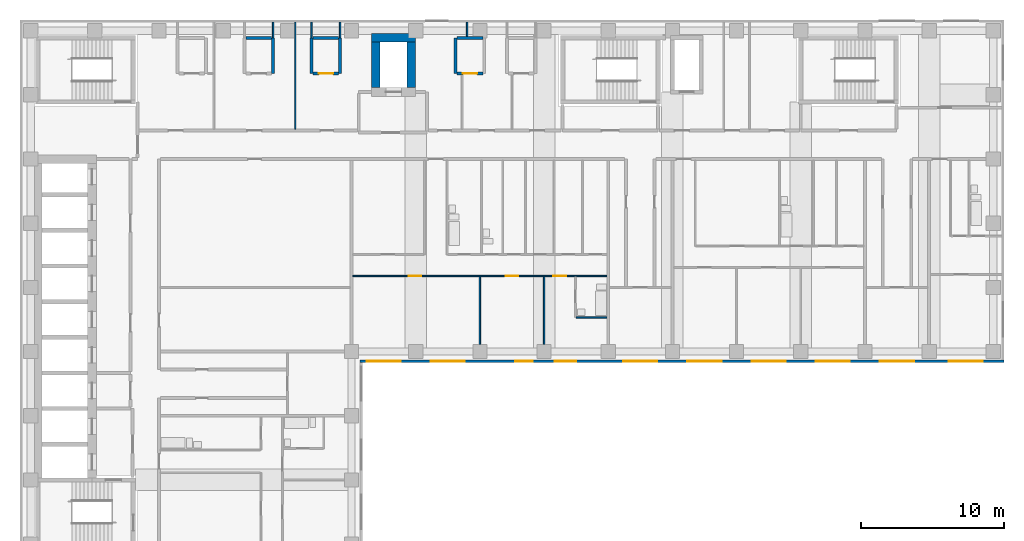
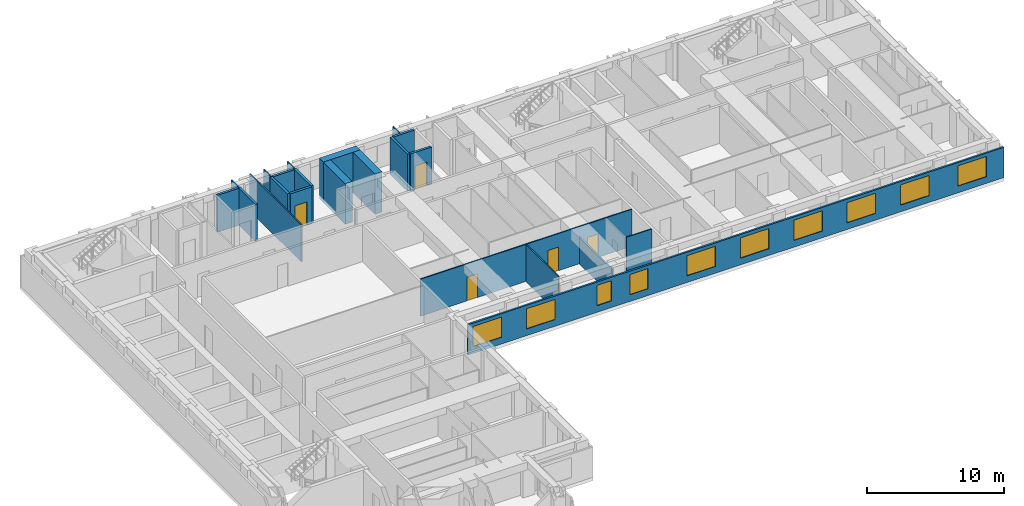
# One storey, part 6 of 12: 22 walls, 10 windows, 5 doors, 15 openings.
"""IFC4 building model written with IfcOpenShell, lengths in metres."""

from ifc_helpers import new_model, si_unit, direction, frame, frame_2d, origin, place, context, subcontext, project, spatial, rectangle, extrude, material, layer, layer_set, type_object, element, fill, save


model = new_model("IFC4")

# Units and contexts
model_context = context("Model", 3, precision=1e-05, world=origin(), true_north=direction((0.0, 1.0)))
body_context = subcontext(model_context, "Body", "Model", "MODEL_VIEW")
ifc_project = project(units=[si_unit("LENGTHUNIT", "METRE"), si_unit("AREAUNIT", "SQUARE_METRE"), si_unit("VOLUMEUNIT", "CUBIC_METRE"), si_unit("PLANEANGLEUNIT", "RADIAN"), si_unit("MASSUNIT", "GRAM", prefix="KILO")], contexts=[model_context])

# Site, building, storey
site_placement = place(None, origin())
site = spatial("IfcSite", under=ifc_project, at=site_placement, CompositionType="ELEMENT")
building_placement = place(site_placement, origin())
building = spatial("IfcBuilding", under=site, at=building_placement, Name="Firuza Court", CompositionType="ELEMENT")
storey_placement = place(building_placement, frame((0.0, 0.0, 155.60009765625)))
storey = spatial("IfcBuildingStorey", under=building, at=storey_placement, Name="L39", CompositionType="ELEMENT", Elevation=155.60009765625)

# Walls
ifc_material_1 = material(Name="Moisture-resistant gypsum board partition")
ifc_layer_1 = layer(ifc_material_1, 0.10009765625)
ifc_layer_set_1 = layer_set([ifc_layer_1], Name="Moisture-resistant gypsum board partition")
wall_type_1 = type_object("IfcWallType", Name="Bathroom partition 100", PredefinedType="PLUMBINGWALL", material=ifc_layer_set_1)
wall_1_placement = place(storey_placement, frame((38.25, 38.39990234375, 0.0), z_axis=(0.0, 0.0, 1.0), x_axis=(1.0, 0.0, 0.0)))
element("IfcWall", 1, at=wall_1_placement, inside=storey, type_object=wall_type_1, Name="Bathroom partition 100 L39", PredefinedType="PLUMBINGWALL", context=body_context, shape_type="SweptSolid", body=[
    extrude(rectangle(XDim=2.14990234375, YDim=0.10009765625, at=frame_2d((1.074951171875, 0.0))), origin(), (0.0, 0.0, 1.0), 3.2998046875),
])
ifc_material_2 = material(Name="Concrete C60/75", Category="concrete")
ifc_layer_2 = layer(ifc_material_2, 0.60009765625)
ifc_layer_set_2 = layer_set([ifc_layer_2], Name="Concrete C60/75")
wall_type_2 = type_object("IfcWallType", Name="Core wall 600 C60/75", PredefinedType="SHEAR", material=ifc_layer_set_2)
wall_2_placement = place(storey_placement, frame((23.89990234375, 58.0, -0.300048828125), z_axis=(0.0, 0.0, 1.0), x_axis=(1.0, 0.0, 0.0)))
element("IfcWall", 2, at=wall_2_placement, inside=storey, type_object=wall_type_2, Name="Core wall lift shaft L39", PredefinedType="SHEAR", context=body_context, shape_type="SweptSolid", body=[
    extrude(rectangle(XDim=3.10009765625, YDim=0.60009765625, at=frame_2d((1.550048828125, 0.0))), origin(), (0.0, 0.0, 1.0), 3.599853515625),
])
for number, where, z_axis, x_axis, name in (
    (3, (24.199951171875, 54.5, -0.300048828125), (0.0, 0.0, 1.0), (0.0, 1.0, 0.0), "Core wall lift shaft L39"),
    (4, (26.699951171875, 54.5, -0.300048828125), (0.0, 0.0, 1.0), (0.0, 1.0, 0.0), "Core wall lift shaft L39"),
):
    element("IfcWall", number, at=place(storey_placement, frame(where, z_axis=z_axis, x_axis=x_axis)), inside=storey, type_object=wall_type_2, Name=name, PredefinedType="SHEAR", context=body_context, shape_type="SweptSolid", body=[
        extrude(rectangle(XDim=3.199951171875, YDim=0.60009765625, at=frame_2d((1.60009765625, 0.0))), origin(), (0.0, 0.0, 1.0), 3.599853515625),
    ])
ifc_material_3 = material(Name="Timber stud partition, plasterboard both sides", Category="wood")
ifc_layer_3 = layer(ifc_material_3, 0.10009765625)
ifc_layer_set_3 = layer_set([ifc_layer_3], Name="Timber stud partition, plasterboard both sides")
wall_type_3 = type_object("IfcWallType", Name="Partition wall 100", PredefinedType="PARTITIONING", material=ifc_layer_set_3)
wall_3_placement = place(storey_placement, frame((31.5, 36.5, 0.0), z_axis=(0.0, 0.0, 1.0), x_axis=(0.0, 1.0, 0.0)))
element("IfcWall", 5, at=wall_3_placement, inside=storey, type_object=wall_type_3, Name="Partition wall 100 L39", PredefinedType="PARTITIONING", context=body_context, shape_type="SweptSolid", body=[
    extrude(rectangle(XDim=4.75, YDim=0.10009765625, at=frame_2d((2.375, 0.0))), origin(), (0.0, 0.0, 1.0), 3.2998046875),
])
wall_4_placement = place(storey_placement, frame((36.0, 36.5, 0.0), z_axis=(0.0, 0.0, 1.0), x_axis=(0.0, 1.0, 0.0)))
element("IfcWall", 6, at=wall_4_placement, inside=storey, type_object=wall_type_3, Name="Partition wall 100 L39", PredefinedType="PARTITIONING", context=body_context, shape_type="SweptSolid", body=[
    extrude(rectangle(XDim=4.75, YDim=0.10009765625, at=frame_2d((2.375, 0.0))), origin(), (0.0, 0.0, 1.0), 2.39990234375),
])

# Wall, openings, doors
wall_5_placement = place(storey_placement, frame((22.60009765625, 41.300048828125, 0.0), z_axis=(0.0, 0.0, 1.0), x_axis=(1.0, 0.0, 0.0)))
wall_5 = element("IfcWall", 7, at=wall_5_placement, inside=storey, type_object=wall_type_3, Name="Partition wall 100 L39", PredefinedType="PARTITIONING", context=body_context, shape_type="SweptSolid", body=[
    extrude(rectangle(XDim=17.7998046875, YDim=0.10009765625, at=frame_2d((8.89990234375, 0.0))), origin(), (0.0, 0.0, 1.0), 3.2998046875),
])
opening_1_placement = place(wall_5_placement, frame((3.89990234375, 0.0, 0.0)))
opening_1 = element("IfcOpeningElement", 8, at=opening_1_placement, cuts=wall_5, Name="Opening D39046", PredefinedType="OPENING", context=body_context, shape_type="SweptSolid", body=[
    extrude(rectangle(XDim=0.89990234375, YDim=2.10009765625, at=frame_2d((0.449951171875, 1.050048828125))), frame((0.0, 0.06201171875, 0.0), z_axis=(0.0, -1.0, 0.0), x_axis=(1.0, 0.0, 0.0)), (0.0, 0.0, 1.0), 0.1240234375),
])
opening_2_placement = place(wall_5_placement, frame((10.699951171875, 0.0, 0.0)))
opening_2 = element("IfcOpeningElement", 9, at=opening_2_placement, cuts=wall_5, Name="Opening D39047", PredefinedType="OPENING", context=body_context, shape_type="SweptSolid", body=[
    extrude(rectangle(XDim=0.89990234375, YDim=2.10009765625, at=frame_2d((0.449951171875, 1.050048828125))), frame((0.0, 0.06201171875, 0.0), z_axis=(0.0, -1.0, 0.0), x_axis=(1.0, 0.0, 0.0)), (0.0, 0.0, 1.0), 0.1240234375),
])
opening_3_placement = place(wall_5_placement, frame((14.050048828125, 0.0, 0.0)))
opening_3 = element("IfcOpeningElement", 10, at=opening_3_placement, cuts=wall_5, Name="Opening D39048", PredefinedType="OPENING", context=body_context, shape_type="SweptSolid", body=[
    extrude(rectangle(XDim=0.89990234375, YDim=2.10009765625, at=frame_2d((0.449951171875, 1.050048828125))), frame((0.0, 0.06201171875, 0.0), z_axis=(0.0, -1.0, 0.0), x_axis=(1.0, 0.0, 0.0)), (0.0, 0.0, 1.0), 0.1240234375),
])
ifc_material_4 = material(Name="Timber door leaf in hardwood frame", Category="wood")
door_type_1 = type_object("IfcDoorType", Name="Room door 900", OperationType="SINGLE_SWING_LEFT", PredefinedType="DOOR", material=ifc_material_4)
door_1_placement = place(opening_1_placement, frame((0.89990234375, 0.0, 0.0), z_axis=(0.0, 0.0, 1.0), x_axis=(-1.0, 0.0, 0.0)))
door_1 = element("IfcDoor", 11, at=door_1_placement, inside=storey, type_object=door_type_1, Name="Living room door", OperationType="SINGLE_SWING_RIGHT", OverallHeight=2.10009765625, OverallWidth=0.89990234375, PredefinedType="DOOR", context=body_context, shape_type="SweptSolid", body=[
    extrude(rectangle(XDim=0.89990234375, YDim=2.10009765625, at=frame_2d((0.449951171875, 1.050048828125))), frame((0.0, 0.02490234375, 0.0), z_axis=(0.0, -1.0, 0.0), x_axis=(1.0, 0.0, 0.0)), (0.0, 0.0, 1.0), 0.050048828125),
])
fill(opening_1, door_1)
door_2_placement = place(opening_2_placement, frame((0.89990234375, 0.0, 0.0), z_axis=(0.0, 0.0, 1.0), x_axis=(-1.0, 0.0, 0.0)))
door_2 = element("IfcDoor", 12, at=door_2_placement, inside=storey, type_object=door_type_1, Name="Bedroom door", OperationType="SINGLE_SWING_RIGHT", OverallHeight=2.10009765625, OverallWidth=0.89990234375, PredefinedType="DOOR", context=body_context, shape_type="SweptSolid", body=[
    extrude(rectangle(XDim=0.89990234375, YDim=2.10009765625, at=frame_2d((0.449951171875, 1.050048828125))), frame((0.0, 0.02490234375, 0.0), z_axis=(0.0, -1.0, 0.0), x_axis=(1.0, 0.0, 0.0)), (0.0, 0.0, 1.0), 0.050048828125),
])
fill(opening_2, door_2)
door_3_placement = place(opening_3_placement, frame((0.89990234375, 0.0, 0.0), z_axis=(0.0, 0.0, 1.0), x_axis=(-1.0, 0.0, 0.0)))
door_3 = element("IfcDoor", 13, at=door_3_placement, inside=storey, type_object=door_type_1, Name="Bedroom door", OperationType="SINGLE_SWING_RIGHT", OverallHeight=2.10009765625, OverallWidth=0.89990234375, PredefinedType="DOOR", context=body_context, shape_type="SweptSolid", body=[
    extrude(rectangle(XDim=0.89990234375, YDim=2.10009765625, at=frame_2d((0.449951171875, 1.050048828125))), frame((0.0, 0.02490234375, 0.0), z_axis=(0.0, -1.0, 0.0), x_axis=(1.0, 0.0, 0.0)), (0.0, 0.0, 1.0), 0.050048828125),
])
fill(opening_3, door_3)

# Walls
wall_6_placement = place(storey_placement, frame((18.550048828125, 51.60009765625, 0.0), z_axis=(0.0, 0.0, 1.0), x_axis=(0.0, 1.0, 0.0)))
element("IfcWall", 14, at=wall_6_placement, inside=storey, type_object=wall_type_3, Name="Partition wall 100 L39", PredefinedType="PARTITIONING", context=body_context, shape_type="SweptSolid", body=[
    extrude(rectangle(XDim=7.5, YDim=0.10009765625, at=frame_2d((3.75, 0.0))), origin(), (0.0, 0.0, 1.0), 3.2998046875),
])
for number, where, z_axis, x_axis, name in (
    (15, (17.0, 58.0, 0.0), (0.0, 0.0, 1.0), (0.0, 1.0, 0.0), "Partition wall 100 L39"),
    (16, (19.699951171875, 58.0, 0.0), (0.0, 0.0, 1.0), (0.0, 1.0, 0.0), "Partition wall 100 L39"),
    (17, (21.699951171875, 58.0, 0.0), (0.0, 0.0, 1.0), (0.0, 1.0, 0.0), "Partition wall 100 L39"),
):
    element("IfcWall", number, at=place(storey_placement, frame(where, z_axis=z_axis, x_axis=x_axis)), inside=storey, type_object=wall_type_3, Name=name, PredefinedType="PARTITIONING", context=body_context, shape_type="SweptSolid", body=[
        extrude(rectangle(XDim=1.10009765625, YDim=0.10009765625, at=frame_2d((0.550048828125, 0.0))), origin(), (0.0, 0.0, 1.0), 3.2998046875),
    ])
wall_7_placement = place(storey_placement, frame((30.60009765625, 58.10009765625, 0.0), z_axis=(0.0, 0.0, 1.0), x_axis=(0.0, 1.0, 0.0)))
element("IfcWall", 18, at=wall_7_placement, inside=storey, type_object=wall_type_3, Name="Partition wall 100 L39", PredefinedType="PARTITIONING", context=body_context, shape_type="SweptSolid", body=[
    extrude(rectangle(XDim=1.0, YDim=0.10009765625, at=frame_2d((0.5, 0.0))), origin(), (0.0, 0.0, 1.0), 3.2998046875),
])
ifc_material_5 = material(Name="Blockwork, fire-rated", Category="masonry")
ifc_layer_4 = layer(ifc_material_5, 0.199951171875)
ifc_layer_set_4 = layer_set([ifc_layer_4], Name="Blockwork, fire-rated")
wall_type_4 = type_object("IfcWallType", Name="Plant room wall 200", PredefinedType="PARTITIONING", material=ifc_layer_set_4)
for number, where, z_axis, x_axis, name in (
    (19, (17.0, 55.5, 0.0), (0.0, 0.0, 1.0), (0.0, 1.0, 0.0), "Plant room wall 200 L39"),
    (20, (19.699951171875, 55.5, 0.0), (0.0, 0.0, 1.0), (0.0, 1.0, 0.0), "Plant room wall 200 L39"),
):
    element("IfcWall", number, at=place(storey_placement, frame(where, z_axis=z_axis, x_axis=x_axis)), inside=storey, type_object=wall_type_4, Name=name, PredefinedType="PARTITIONING", context=body_context, shape_type="SweptSolid", body=[
        extrude(rectangle(XDim=2.5, YDim=0.199951171875, at=frame_2d((1.25, 0.0))), origin(), (0.0, 0.0, 1.0), 3.2998046875),
    ])

# Wall, opening, door
wall_8_placement = place(storey_placement, frame((19.800048828125, 55.5, 0.0), z_axis=(0.0, 0.0, 1.0), x_axis=(1.0, 0.0, 0.0)))
wall_8 = element("IfcWall", 21, at=wall_8_placement, inside=storey, type_object=wall_type_4, Name="Plant room wall 200 L39", PredefinedType="PARTITIONING", context=body_context, shape_type="SweptSolid", body=[
    extrude(rectangle(XDim=1.800048828125, YDim=0.199951171875, at=frame_2d((0.89990234375, 0.0))), origin(), (0.0, 0.0, 1.0), 3.2998046875),
])
opening_4_placement = place(wall_8_placement, frame((0.39990234375, 0.0, 0.0)))
opening_4 = element("IfcOpeningElement", 22, at=opening_4_placement, cuts=wall_8, Name="Opening D39082", PredefinedType="OPENING", context=body_context, shape_type="SweptSolid", body=[
    extrude(rectangle(XDim=1.0, YDim=2.10009765625, at=frame_2d((0.5, 1.050048828125))), frame((0.0, 0.11181640625, 0.0), z_axis=(0.0, -1.0, 0.0), x_axis=(1.0, 0.0, 0.0)), (0.0, 0.0, 1.0), 0.223876953125),
])
ifc_material_6 = material(Name="Timber door leaf in hardwood frame", Category="wood")
door_type_2 = type_object("IfcDoorType", Name="Riser door 1000", OperationType="SINGLE_SWING_LEFT", PredefinedType="DOOR", material=ifc_material_6)
door_4_placement = place(opening_4_placement, origin())
door_4 = element("IfcDoor", 23, at=door_4_placement, inside=storey, type_object=door_type_2, Name="Duct riser door", OperationType="SINGLE_SWING_LEFT", OverallHeight=2.10009765625, OverallWidth=1.0, PredefinedType="DOOR", context=body_context, shape_type="SweptSolid", body=[
    extrude(rectangle(XDim=1.0, YDim=2.10009765625, at=frame_2d((0.5, 1.050048828125))), frame((0.0, 0.02490234375, 0.0), z_axis=(0.0, -1.0, 0.0), x_axis=(1.0, 0.0, 0.0)), (0.0, 0.0, 1.0), 0.050048828125),
])
fill(opening_4, door_4)

# Walls
for number, where, z_axis, x_axis, name in (
    (24, (21.699951171875, 55.5, 0.0), (0.0, 0.0, 1.0), (0.0, 1.0, 0.0), "Plant room wall 200 L39"),
    (25, (29.800048828125, 55.5, 0.0), (0.0, 0.0, 1.0), (0.0, 1.0, 0.0), "Plant room wall 200 L39"),
):
    element("IfcWall", number, at=place(storey_placement, frame(where, z_axis=z_axis, x_axis=x_axis)), inside=storey, type_object=wall_type_4, Name=name, PredefinedType="PARTITIONING", context=body_context, shape_type="SweptSolid", body=[
        extrude(rectangle(XDim=2.5, YDim=0.199951171875, at=frame_2d((1.25, 0.0))), origin(), (0.0, 0.0, 1.0), 3.2998046875),
    ])

# Wall, opening, door
wall_9_placement = place(storey_placement, frame((29.89990234375, 55.5, 0.0), z_axis=(0.0, 0.0, 1.0), x_axis=(1.0, 0.0, 0.0)))
wall_9 = element("IfcWall", 26, at=wall_9_placement, inside=storey, type_object=wall_type_4, Name="Plant room wall 200 L39", PredefinedType="PARTITIONING", context=body_context, shape_type="SweptSolid", body=[
    extrude(rectangle(XDim=1.800048828125, YDim=0.199951171875, at=frame_2d((0.89990234375, 0.0))), origin(), (0.0, 0.0, 1.0), 3.2998046875),
])
opening_5_placement = place(wall_9_placement, frame((0.39990234375, 0.0, 0.0)))
opening_5 = element("IfcOpeningElement", 27, at=opening_5_placement, cuts=wall_9, Name="Opening D39083", PredefinedType="OPENING", context=body_context, shape_type="SweptSolid", body=[
    extrude(rectangle(XDim=1.0, YDim=2.10009765625, at=frame_2d((0.5, 1.050048828125))), frame((0.0, 0.11181640625, 0.0), z_axis=(0.0, -1.0, 0.0), x_axis=(1.0, 0.0, 0.0)), (0.0, 0.0, 1.0), 0.223876953125),
])
door_5_placement = place(opening_5_placement, origin())
door_5 = element("IfcDoor", 28, at=door_5_placement, inside=storey, type_object=door_type_2, Name="Electrical riser door", OperationType="SINGLE_SWING_LEFT", OverallHeight=2.10009765625, OverallWidth=1.0, PredefinedType="DOOR", context=body_context, shape_type="SweptSolid", body=[
    extrude(rectangle(XDim=1.0, YDim=2.10009765625, at=frame_2d((0.5, 1.050048828125))), frame((0.0, 0.02490234375, 0.0), z_axis=(0.0, -1.0, 0.0), x_axis=(1.0, 0.0, 0.0)), (0.0, 0.0, 1.0), 0.050048828125),
])
fill(opening_5, door_5)

# Walls
wall_10_placement = place(storey_placement, frame((15.10009765625, 58.0, 0.0), z_axis=(0.0, 0.0, 1.0), x_axis=(1.0, 0.0, 0.0)))
element("IfcWall", 29, at=wall_10_placement, inside=storey, type_object=wall_type_4, Name="Plant room wall 200 L39", PredefinedType="PARTITIONING", context=body_context, shape_type="SweptSolid", body=[
    extrude(rectangle(XDim=1.7998046875, YDim=0.199951171875, at=frame_2d((0.89990234375, 0.0))), origin(), (0.0, 0.0, 1.0), 3.2998046875),
])
for number, where, z_axis, x_axis, name in (
    (30, (19.800048828125, 58.0, 0.0), (0.0, 0.0, 1.0), (1.0, 0.0, 0.0), "Plant room wall 200 L39"),
    (31, (29.89990234375, 58.0, 0.0), (0.0, 0.0, 1.0), (1.0, 0.0, 0.0), "Plant room wall 200 L39"),
):
    element("IfcWall", number, at=place(storey_placement, frame(where, z_axis=z_axis, x_axis=x_axis)), inside=storey, type_object=wall_type_4, Name=name, PredefinedType="PARTITIONING", context=body_context, shape_type="SweptSolid", body=[
        extrude(rectangle(XDim=1.800048828125, YDim=0.199951171875, at=frame_2d((0.89990234375, 0.0))), origin(), (0.0, 0.0, 1.0), 3.2998046875),
    ])

# Wall, openings, windows
ifc_material_7 = material(Name="Ceramic tile", Category="ceramic")
ifc_layer_5 = layer(ifc_material_7, 0.02001953125)
ifc_material_8 = material(Name="Mineral wool insulation", Category="insulation")
ifc_layer_6 = layer(ifc_material_8, 0.050048828125)
ifc_material_9 = material(Name="Concrete C40/50 precast", Category="concrete")
ifc_layer_7 = layer(ifc_material_9, 0.080078125)
ifc_layer_set_5 = layer_set([ifc_layer_5, ifc_layer_6, ifc_layer_7], Name="Concrete C40/50 precast")
wall_type_5 = type_object("IfcWallType", Name="Precast cladding wall with turquoise TILE PANEL face 150", PredefinedType="STANDARD", material=ifc_layer_set_5)
wall_11_placement = place(storey_placement, frame((23.10009765625, 35.324951171875, 0.0), z_axis=(0.0, 0.0, 1.0), x_axis=(1.0, 0.0, 0.0)))
wall_11 = element("IfcWall", 32, at=wall_11_placement, inside=storey, type_object=wall_type_5, Name="Facade wall L39 S", PredefinedType="STANDARD", context=body_context, shape_type="SweptSolid", body=[
    extrude(rectangle(XDim=45.14990234375, YDim=0.14990234375, at=frame_2d((22.574951171875, 0.0))), origin(), (0.0, 0.0, 1.0), 2.699951171875),
])
opening_6_placement = place(wall_11_placement, frame((0.449951171875, 0.0, 0.60009765625)))
opening_6 = element("IfcOpeningElement", 33, at=opening_6_placement, cuts=wall_11, Name="Opening W1", PredefinedType="OPENING", context=body_context, shape_type="SweptSolid", body=[
    extrude(rectangle(XDim=2.39990234375, YDim=1.800048828125, at=frame_2d((1.199951171875, 0.89990234375))), frame((0.0, 0.0869140625, 0.0), z_axis=(0.0, -1.0, 0.0), x_axis=(1.0, 0.0, 0.0)), (0.0, 0.0, 1.0), 0.173828125),
])
opening_7_placement = place(wall_11_placement, frame((4.949951171875, 0.0, 0.60009765625)))
opening_7 = element("IfcOpeningElement", 34, at=opening_7_placement, cuts=wall_11, Name="Opening W1", PredefinedType="OPENING", context=body_context, shape_type="SweptSolid", body=[
    extrude(rectangle(XDim=2.39990234375, YDim=1.800048828125, at=frame_2d((1.199951171875, 0.89990234375))), frame((0.0, 0.0869140625, 0.0), z_axis=(0.0, -1.0, 0.0), x_axis=(1.0, 0.0, 0.0)), (0.0, 0.0, 1.0), 0.173828125),
])
opening_8_placement = place(wall_11_placement, frame((10.892822265625, 0.0, 0.60009765625)))
opening_8 = element("IfcOpeningElement", 35, at=opening_8_placement, cuts=wall_11, Name="Opening W8", PredefinedType="OPENING", context=body_context, shape_type="SweptSolid", body=[
    extrude(rectangle(XDim=1.199951171875, YDim=1.800048828125, at=frame_2d((0.60009765625, 0.89990234375))), frame((0.0, 0.0869140625, 0.0), z_axis=(0.0, -1.0, 0.0), x_axis=(1.0, 0.0, 0.0)), (0.0, 0.0, 1.0), 0.173828125),
])
opening_9_placement = place(wall_11_placement, frame((13.6533203125, 0.0, 0.60009765625)))
opening_9 = element("IfcOpeningElement", 36, at=opening_9_placement, cuts=wall_11, Name="Opening W2", PredefinedType="OPENING", context=body_context, shape_type="SweptSolid", body=[
    extrude(rectangle(XDim=1.5, YDim=1.800048828125, at=frame_2d((0.75, 0.89990234375))), frame((0.0, 0.0869140625, 0.0), z_axis=(0.0, -1.0, 0.0), x_axis=(1.0, 0.0, 0.0)), (0.0, 0.0, 1.0), 0.173828125),
])
opening_10_placement = place(wall_11_placement, frame((18.449951171875, 0.0, 0.60009765625)))
opening_10 = element("IfcOpeningElement", 37, at=opening_10_placement, cuts=wall_11, Name="Opening W1", PredefinedType="OPENING", context=body_context, shape_type="SweptSolid", body=[
    extrude(rectangle(XDim=2.39990234375, YDim=1.800048828125, at=frame_2d((1.199951171875, 0.89990234375))), frame((0.0, 0.0869140625, 0.0), z_axis=(0.0, -1.0, 0.0), x_axis=(1.0, 0.0, 0.0)), (0.0, 0.0, 1.0), 0.173828125),
])
opening_11_placement = place(wall_11_placement, frame((22.949951171875, 0.0, 0.60009765625)))
opening_11 = element("IfcOpeningElement", 38, at=opening_11_placement, cuts=wall_11, Name="Opening W1", PredefinedType="OPENING", context=body_context, shape_type="SweptSolid", body=[
    extrude(rectangle(XDim=2.39990234375, YDim=1.800048828125, at=frame_2d((1.199951171875, 0.89990234375))), frame((0.0, 0.0869140625, 0.0), z_axis=(0.0, -1.0, 0.0), x_axis=(1.0, 0.0, 0.0)), (0.0, 0.0, 1.0), 0.173828125),
])
opening_12_placement = place(wall_11_placement, frame((27.449951171875, 0.0, 0.60009765625)))
opening_12 = element("IfcOpeningElement", 39, at=opening_12_placement, cuts=wall_11, Name="Opening W1", PredefinedType="OPENING", context=body_context, shape_type="SweptSolid", body=[
    extrude(rectangle(XDim=2.39990234375, YDim=1.800048828125, at=frame_2d((1.199951171875, 0.89990234375))), frame((0.0, 0.0869140625, 0.0), z_axis=(0.0, -1.0, 0.0), x_axis=(1.0, 0.0, 0.0)), (0.0, 0.0, 1.0), 0.173828125),
])
opening_13_placement = place(wall_11_placement, frame((31.949951171875, 0.0, 0.60009765625)))
opening_13 = element("IfcOpeningElement", 40, at=opening_13_placement, cuts=wall_11, Name="Opening W1", PredefinedType="OPENING", context=body_context, shape_type="SweptSolid", body=[
    extrude(rectangle(XDim=2.39990234375, YDim=1.800048828125, at=frame_2d((1.199951171875, 0.89990234375))), frame((0.0, 0.0869140625, 0.0), z_axis=(0.0, -1.0, 0.0), x_axis=(1.0, 0.0, 0.0)), (0.0, 0.0, 1.0), 0.173828125),
])
opening_14_placement = place(wall_11_placement, frame((36.449951171875, 0.0, 0.60009765625)))
opening_14 = element("IfcOpeningElement", 41, at=opening_14_placement, cuts=wall_11, Name="Opening W1", PredefinedType="OPENING", context=body_context, shape_type="SweptSolid", body=[
    extrude(rectangle(XDim=2.39990234375, YDim=1.800048828125, at=frame_2d((1.199951171875, 0.89990234375))), frame((0.0, 0.0869140625, 0.0), z_axis=(0.0, -1.0, 0.0), x_axis=(1.0, 0.0, 0.0)), (0.0, 0.0, 1.0), 0.173828125),
])
opening_15_placement = place(wall_11_placement, frame((41.26953125, 0.0, 0.60009765625)))
opening_15 = element("IfcOpeningElement", 42, at=opening_15_placement, cuts=wall_11, Name="Opening W1", PredefinedType="OPENING", context=body_context, shape_type="SweptSolid", body=[
    extrude(rectangle(XDim=2.39990234375, YDim=1.800048828125, at=frame_2d((1.199951171875, 0.89990234375))), frame((0.0, 0.0869140625, 0.0), z_axis=(0.0, -1.0, 0.0), x_axis=(1.0, 0.0, 0.0)), (0.0, 0.0, 1.0), 0.173828125),
])
ifc_material_10 = material(Name="Aluminium frame, triple clear glazing", Category="aluminium")
window_type_1 = type_object("IfcWindowType", Name="Window W1 2400 x 1800", PartitioningType="SINGLE_PANEL", PredefinedType="WINDOW", material=ifc_material_10)
window_1_placement = place(opening_6_placement, origin())
window_1 = element("IfcWindow", 43, at=window_1_placement, inside=storey, type_object=window_type_1, Name="Window L39", OverallHeight=1.800048828125, OverallWidth=2.39990234375, PartitioningType="SINGLE_PANEL", PredefinedType="WINDOW", context=body_context, shape_type="SweptSolid", body=[
    extrude(rectangle(XDim=2.39990234375, YDim=1.800048828125, at=frame_2d((1.199951171875, 0.89990234375))), frame((0.0, 0.030029296875, 0.0), z_axis=(0.0, -1.0, 0.0), x_axis=(1.0, 0.0, 0.0)), (0.0, 0.0, 1.0), 0.06005859375),
])
fill(opening_6, window_1)
window_2_placement = place(opening_7_placement, origin())
window_2 = element("IfcWindow", 44, at=window_2_placement, inside=storey, type_object=window_type_1, Name="Window L39", OverallHeight=1.800048828125, OverallWidth=2.39990234375, PartitioningType="SINGLE_PANEL", PredefinedType="WINDOW", context=body_context, shape_type="SweptSolid", body=[
    extrude(rectangle(XDim=2.39990234375, YDim=1.800048828125, at=frame_2d((1.199951171875, 0.89990234375))), frame((0.0, 0.030029296875, 0.0), z_axis=(0.0, -1.0, 0.0), x_axis=(1.0, 0.0, 0.0)), (0.0, 0.0, 1.0), 0.06005859375),
])
fill(opening_7, window_2)
window_3_placement = place(opening_10_placement, origin())
window_3 = element("IfcWindow", 45, at=window_3_placement, inside=storey, type_object=window_type_1, Name="Window L39", OverallHeight=1.800048828125, OverallWidth=2.39990234375, PartitioningType="SINGLE_PANEL", PredefinedType="WINDOW", context=body_context, shape_type="SweptSolid", body=[
    extrude(rectangle(XDim=2.39990234375, YDim=1.800048828125, at=frame_2d((1.199951171875, 0.89990234375))), frame((0.0, 0.030029296875, 0.0), z_axis=(0.0, -1.0, 0.0), x_axis=(1.0, 0.0, 0.0)), (0.0, 0.0, 1.0), 0.06005859375),
])
fill(opening_10, window_3)
window_4_placement = place(opening_11_placement, origin())
window_4 = element("IfcWindow", 46, at=window_4_placement, inside=storey, type_object=window_type_1, Name="Window L39", OverallHeight=1.800048828125, OverallWidth=2.39990234375, PartitioningType="SINGLE_PANEL", PredefinedType="WINDOW", context=body_context, shape_type="SweptSolid", body=[
    extrude(rectangle(XDim=2.39990234375, YDim=1.800048828125, at=frame_2d((1.199951171875, 0.89990234375))), frame((0.0, 0.030029296875, 0.0), z_axis=(0.0, -1.0, 0.0), x_axis=(1.0, 0.0, 0.0)), (0.0, 0.0, 1.0), 0.06005859375),
])
fill(opening_11, window_4)
window_5_placement = place(opening_12_placement, origin())
window_5 = element("IfcWindow", 47, at=window_5_placement, inside=storey, type_object=window_type_1, Name="Window L39", OverallHeight=1.800048828125, OverallWidth=2.39990234375, PartitioningType="SINGLE_PANEL", PredefinedType="WINDOW", context=body_context, shape_type="SweptSolid", body=[
    extrude(rectangle(XDim=2.39990234375, YDim=1.800048828125, at=frame_2d((1.199951171875, 0.89990234375))), frame((0.0, 0.030029296875, 0.0), z_axis=(0.0, -1.0, 0.0), x_axis=(1.0, 0.0, 0.0)), (0.0, 0.0, 1.0), 0.06005859375),
])
fill(opening_12, window_5)
window_6_placement = place(opening_13_placement, origin())
window_6 = element("IfcWindow", 48, at=window_6_placement, inside=storey, type_object=window_type_1, Name="Window L39", OverallHeight=1.800048828125, OverallWidth=2.39990234375, PartitioningType="SINGLE_PANEL", PredefinedType="WINDOW", context=body_context, shape_type="SweptSolid", body=[
    extrude(rectangle(XDim=2.39990234375, YDim=1.800048828125, at=frame_2d((1.199951171875, 0.89990234375))), frame((0.0, 0.030029296875, 0.0), z_axis=(0.0, -1.0, 0.0), x_axis=(1.0, 0.0, 0.0)), (0.0, 0.0, 1.0), 0.06005859375),
])
fill(opening_13, window_6)
window_7_placement = place(opening_14_placement, origin())
window_7 = element("IfcWindow", 49, at=window_7_placement, inside=storey, type_object=window_type_1, Name="Window L39", OverallHeight=1.800048828125, OverallWidth=2.39990234375, PartitioningType="SINGLE_PANEL", PredefinedType="WINDOW", context=body_context, shape_type="SweptSolid", body=[
    extrude(rectangle(XDim=2.39990234375, YDim=1.800048828125, at=frame_2d((1.199951171875, 0.89990234375))), frame((0.0, 0.030029296875, 0.0), z_axis=(0.0, -1.0, 0.0), x_axis=(1.0, 0.0, 0.0)), (0.0, 0.0, 1.0), 0.06005859375),
])
fill(opening_14, window_7)
window_8_placement = place(opening_15_placement, origin())
window_8 = element("IfcWindow", 50, at=window_8_placement, inside=storey, type_object=window_type_1, Name="Window L39", OverallHeight=1.800048828125, OverallWidth=2.39990234375, PartitioningType="SINGLE_PANEL", PredefinedType="WINDOW", context=body_context, shape_type="SweptSolid", body=[
    extrude(rectangle(XDim=2.39990234375, YDim=1.800048828125, at=frame_2d((1.199951171875, 0.89990234375))), frame((0.0, 0.030029296875, 0.0), z_axis=(0.0, -1.0, 0.0), x_axis=(1.0, 0.0, 0.0)), (0.0, 0.0, 1.0), 0.06005859375),
])
fill(opening_15, window_8)
ifc_material_11 = material(Name="Aluminium frame, triple clear glazing", Category="aluminium")
window_type_2 = type_object("IfcWindowType", Name="Window W2 1500 x 1800", PartitioningType="SINGLE_PANEL", PredefinedType="WINDOW", material=ifc_material_11)
window_9_placement = place(opening_9_placement, origin())
window_9 = element("IfcWindow", 51, at=window_9_placement, inside=storey, type_object=window_type_2, Name="Window L39", OverallHeight=1.800048828125, OverallWidth=1.5, PartitioningType="SINGLE_PANEL", PredefinedType="WINDOW", context=body_context, shape_type="SweptSolid", body=[
    extrude(rectangle(XDim=1.5, YDim=1.800048828125, at=frame_2d((0.75, 0.89990234375))), frame((0.0, 0.030029296875, 0.0), z_axis=(0.0, -1.0, 0.0), x_axis=(1.0, 0.0, 0.0)), (0.0, 0.0, 1.0), 0.06005859375),
])
fill(opening_9, window_9)
ifc_material_12 = material(Name="Aluminium frame, triple clear glazing", Category="aluminium")
window_type_3 = type_object("IfcWindowType", Name="Window W8 1200 x 1800", PartitioningType="SINGLE_PANEL", PredefinedType="WINDOW", material=ifc_material_12)
window_10_placement = place(opening_8_placement, origin())
window_10 = element("IfcWindow", 52, at=window_10_placement, inside=storey, type_object=window_type_3, Name="Window L39", OverallHeight=1.800048828125, OverallWidth=1.199951171875, PartitioningType="SINGLE_PANEL", PredefinedType="WINDOW", context=body_context, shape_type="SweptSolid", body=[
    extrude(rectangle(XDim=1.199951171875, YDim=1.800048828125, at=frame_2d((0.60009765625, 0.89990234375))), frame((0.0, 0.030029296875, 0.0), z_axis=(0.0, -1.0, 0.0), x_axis=(1.0, 0.0, 0.0)), (0.0, 0.0, 1.0), 0.06005859375),
])
fill(opening_8, window_10)

save(model, "model.ifc")
